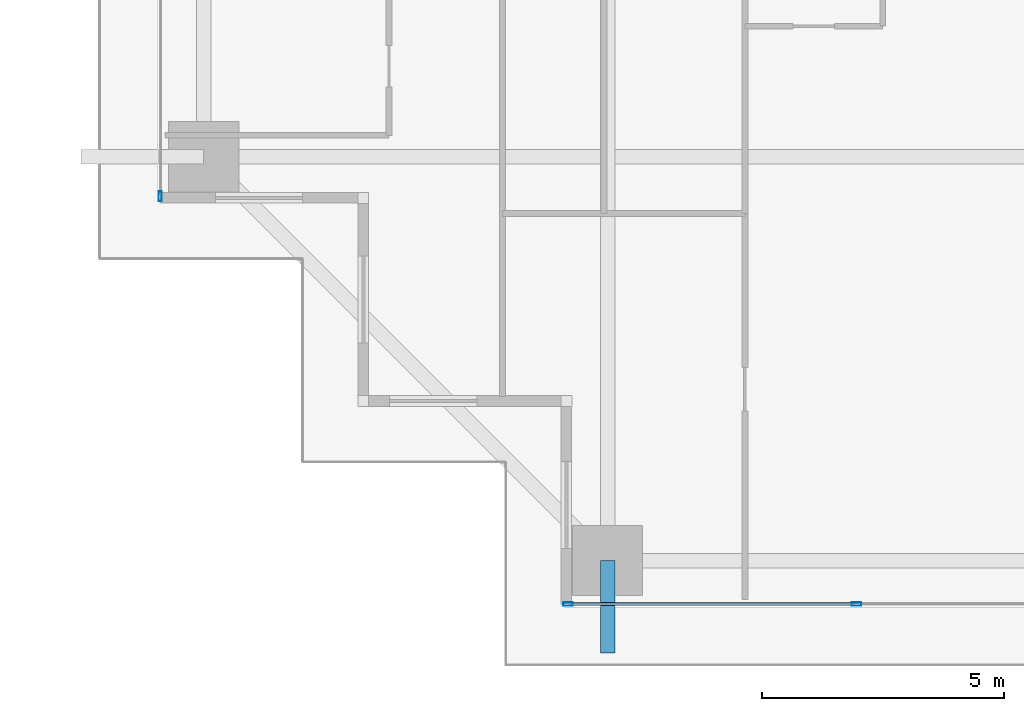
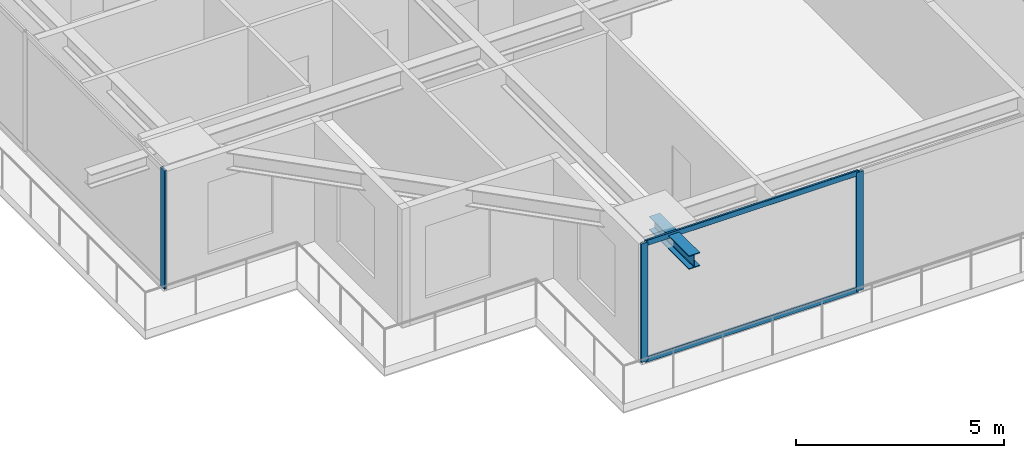
# One storey, part 2 of 38: 5 members, 1 beam, 2 elements without a shape of their own.
"""IFC4 building model written with IfcOpenShell, lengths in metres."""

from ifc_helpers import new_model, si_unit, direction, frame, origin, origin_2d, place, context, subcontext, project, spatial, hollow_rectangle, i_section, extrude, source, transform, mapped, material, layer, layer_set, material_profile, profile_set, type_object, element, aggregate, save


model = new_model("IFC4")

# Units and contexts
model_context = context("Model", 3, precision=1e-05, world=origin(), true_north=direction((0.0, 1.0)))
body_context = subcontext(model_context, "Body", "Model", "MODEL_VIEW")
ifc_project = project(units=[si_unit("LENGTHUNIT", "METRE"), si_unit("AREAUNIT", "SQUARE_METRE"), si_unit("VOLUMEUNIT", "CUBIC_METRE"), si_unit("PLANEANGLEUNIT", "RADIAN"), si_unit("MASSUNIT", "GRAM", prefix="KILO")], contexts=[model_context])

# Site, building, storey
site_placement = place(None, origin())
site = spatial("IfcSite", under=ifc_project, at=site_placement, CompositionType="ELEMENT")
building_placement = place(site_placement, origin())
building = spatial("IfcBuilding", under=site, at=building_placement, Name="Serunith Strait Residences", CompositionType="ELEMENT")
storey_placement = place(building_placement, frame((0.0, 0.0, 37.949951171875)))
storey = spatial("IfcBuildingStorey", under=building, at=storey_placement, Name="L08", CompositionType="ELEMENT", Elevation=37.949951171875)

# Beam
ifc_material_1 = material(Name="Steel S355J2", Category="steel")
ifc_material_profile_1 = material_profile(ifc_material_1, i_section(OverallWidth=0.300048828125, OverallDepth=0.39990234375, WebThickness=0.013427734375, FlangeThickness=0.02392578125, FilletRadius=0.027099609375, at=origin_2d()), Name="HEB 400")
ifc_profile_set_1 = profile_set([ifc_material_profile_1], Name="Steel S355J2")
beam_type = type_object("IfcBeamType", Name="BM-HEB400", PredefinedType="BEAM", material=ifc_profile_set_1)
shared_shape_1 = source(origin(), body_context, "Body", "SweptSolid", [
    extrude(i_section(OverallWidth=0.300048828125, OverallDepth=0.39990234375, WebThickness=0.013427734375, FlangeThickness=0.02392578125, FilletRadius=0.027099609375, at=origin_2d()), origin(), (0.0, 0.0, 1.0), 1.91015625),
])
beam_placement = place(storey_placement, frame((15.25, 1.10009765625, 3.257080078125), z_axis=(0.0, -1.0, 0.0), x_axis=(1.0, 0.0, 0.0)))
element("IfcBeam", 1, at=beam_placement, inside=storey, type_object=beam_type, Name="L09 Cantilevered Balcony Rib TC-S1", PredefinedType="BEAM", context=body_context, shape_type="MappedRepresentation", body=[
    mapped(shared_shape_1, transform((0.0, 0.0, 0.0), scale=1.0)),
])

# Curtain wall, members
ifc_material_2 = material(Name="Pale-Champagne Anodised Aluminium", Category="aluminium")
ifc_layer = layer(ifc_material_2, 0.199951171875, Name="Pale-Champagne Anodised Aluminium")
ifc_layer_set = layer_set([ifc_layer], Name="Pale-Champagne Anodised Aluminium")
curtain_wall_type = type_object("IfcCurtainWallType", Name="CW-SYS1", PredefinedType="NOTDEFINED", material=ifc_layer_set)
curtain_wall_1_placement = place(storey_placement, origin())
curtain_wall_1 = element("IfcCurtainWall", 2, at=curtain_wall_1_placement, inside=storey, type_object=curtain_wall_type, Name="L08 S Unitised Fritted Curtain Wall", PredefinedType="NOTDEFINED")
ifc_material_profile_2 = material_profile(ifc_material_2, hollow_rectangle(XDim=0.070068359375, YDim=0.199951171875, WallThickness=0.00390625, InnerFilletRadius=0.006103515625, OuterFilletRadius=0.010009765625, at=origin_2d()), Name="ALU 200x70x4")
ifc_profile_set_2 = profile_set([ifc_material_profile_2], Name="Pale-Champagne Anodised Aluminium")
member_type_1 = type_object("IfcMemberType", Name="CW-SYS1-MULL", PredefinedType="MULLION", material=ifc_profile_set_2)
shared_shape_2 = source(origin(), body_context, "Body", "SweptSolid", [
    extrude(hollow_rectangle(XDim=0.070068359375, YDim=0.199951171875, WallThickness=0.00390625, InnerFilletRadius=0.006103515625, OuterFilletRadius=0.010009765625, at=origin_2d()), origin(), (0.0, 0.0, 1.0), 3.47509765625),
])
member_1_placement = place(storey_placement, frame((14.43505859375, 0.199951171875, 0.0), z_axis=(0.0, 0.0, 1.0), x_axis=(0.0, 1.0, 0.0)))
member_1 = element("IfcMember", 3, at=member_1_placement, type_object=member_type_1, Name="CW-1 mullion 1", PredefinedType="MULLION", context=body_context, shape_type="MappedRepresentation", body=[
    mapped(shared_shape_2, transform((0.0, 0.0, 0.0), scale=1.0)),
])
member_2_placement = place(storey_placement, frame((20.39990234375, 0.199951171875, 0.0), z_axis=(0.0, 0.0, 1.0), x_axis=(0.0, 1.0, 0.0)))
member_2 = element("IfcMember", 4, at=member_2_placement, type_object=member_type_1, Name="CW-1 mullion 2", PredefinedType="MULLION", context=body_context, shape_type="MappedRepresentation", body=[
    mapped(shared_shape_2, transform((0.0, 0.0, 0.0), scale=1.0)),
])

# Curtain wall, member
curtain_wall_2_placement = place(storey_placement, origin())
curtain_wall_2 = element("IfcCurtainWall", 5, at=curtain_wall_2_placement, inside=storey, type_object=curtain_wall_type, Name="L08 W Unitised Fritted Curtain Wall", PredefinedType="NOTDEFINED")
member_3_placement = place(storey_placement, frame((6.0, 8.635009765625, 0.0), z_axis=(0.0, 0.0, 1.0), x_axis=(1.0, 0.0, 0.0)))
member_3 = element("IfcMember", 6, at=member_3_placement, type_object=member_type_1, Name="CW-1 mullion 6", PredefinedType="MULLION", context=body_context, shape_type="MappedRepresentation", body=[
    mapped(shared_shape_2, transform((0.0, 0.0, 0.0), scale=1.0)),
])
aggregate(curtain_wall_2, [member_3])

# Member
ifc_material_profile_3 = material_profile(ifc_material_2, hollow_rectangle(XDim=0.06005859375, YDim=0.159912109375, WallThickness=0.00341796875, InnerFilletRadius=0.00537109375, OuterFilletRadius=0.0087890625, at=origin_2d()), Name="ALU 160x60x3.5")
ifc_profile_set_3 = profile_set([ifc_material_profile_3], Name="Pale-Champagne Anodised Aluminium")
member_type_2 = type_object("IfcMemberType", Name="CW-SYS1-TRAN", PredefinedType="USERDEFINED", material=ifc_profile_set_3)
shared_shape_3 = source(origin(), body_context, "Body", "SweptSolid", [
    extrude(hollow_rectangle(XDim=0.06005859375, YDim=0.159912109375, WallThickness=0.00341796875, InnerFilletRadius=0.00537109375, OuterFilletRadius=0.0087890625, at=origin_2d()), origin(), (0.0, 0.0, 1.0), 5.89501953125),
])
member_4_placement = place(storey_placement, frame((14.469970703125, 0.199951171875, 0.030029296875), z_axis=(1.0, 0.0, 0.0), x_axis=(0.0, 1.0, 0.0)))
member_4 = element("IfcMember", 7, at=member_4_placement, type_object=member_type_2, Name="CW-1 transom 1.1", ObjectType="TRANSOM", PredefinedType="USERDEFINED", context=body_context, shape_type="MappedRepresentation", body=[
    mapped(shared_shape_3, transform((0.0, 0.0, 0.0), scale=1.0)),
])

member_5_placement = place(storey_placement, frame((14.469970703125, 0.199951171875, 3.445068359375), z_axis=(1.0, 0.0, 0.0), x_axis=(0.0, 1.0, 0.0)))
member_5 = element("IfcMember", 8, at=member_5_placement, type_object=member_type_2, Name="CW-1 transom 1.2", ObjectType="TRANSOM", PredefinedType="USERDEFINED", context=body_context, shape_type="MappedRepresentation", body=[
    mapped(shared_shape_3, transform((0.0, 0.0, 0.0), scale=1.0)),
])

aggregate(curtain_wall_1, [member_1, member_2, member_4, member_5])

save(model, "model.ifc")
